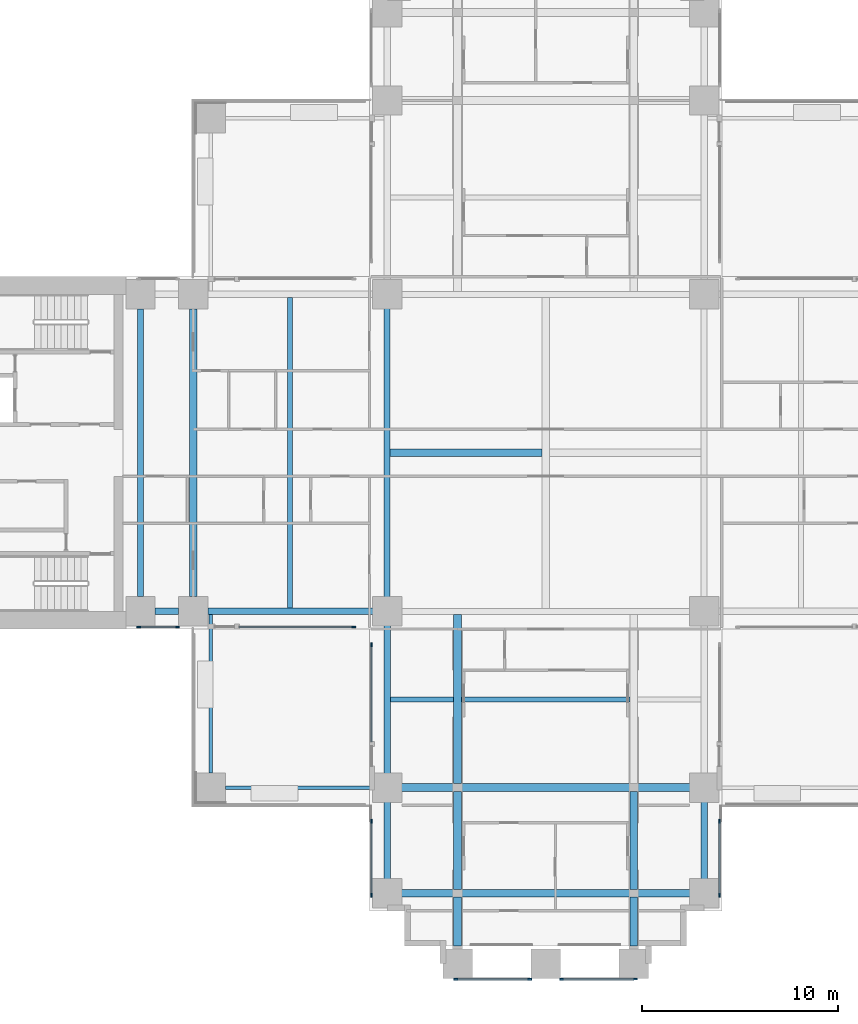
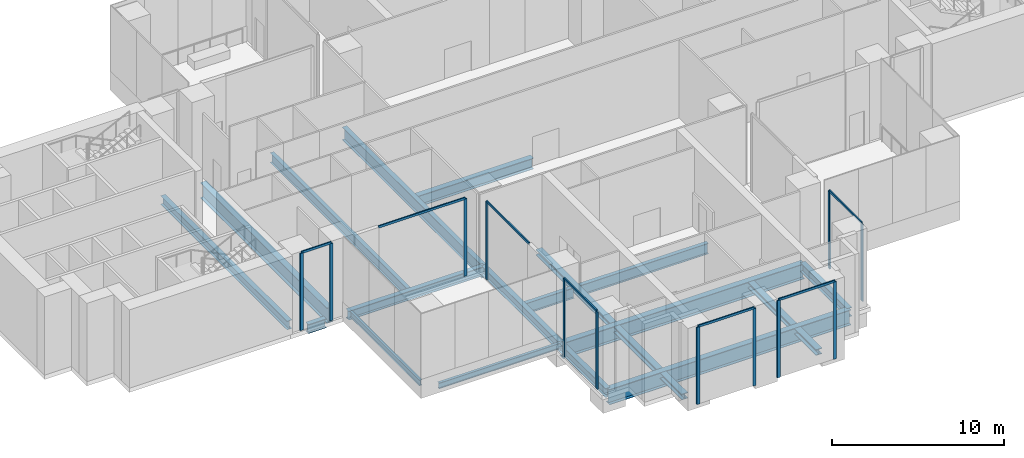
# One storey, part 2 of 17: 21 beams, 19 members, 7 elements without a shape of their own.
"""IFC4 building model written with IfcOpenShell, lengths in metres."""

from ifc_helpers import new_model, si_unit, direction, frame, origin, origin_2d, place, context, subcontext, project, spatial, rectangle, i_section, extrude, material, material_profile, profile_set, type_object, element, aggregate, save


model = new_model("IFC4")

# Units and contexts
model_context = context("Model", 3, precision=1e-05, world=origin(), true_north=direction((0.0, 1.0)))
body_context = subcontext(model_context, "Body", "Model", "MODEL_VIEW")
ifc_project = project(units=[si_unit("LENGTHUNIT", "METRE"), si_unit("AREAUNIT", "SQUARE_METRE"), si_unit("VOLUMEUNIT", "CUBIC_METRE"), si_unit("PLANEANGLEUNIT", "RADIAN"), si_unit("MASSUNIT", "GRAM", prefix="KILO")], contexts=[model_context])

# Site, building, storey
site_placement = place(None, origin())
site = spatial("IfcSite", under=ifc_project, at=site_placement, CompositionType="ELEMENT")
building_placement = place(site_placement, origin())
building = spatial("IfcBuilding", under=site, at=building_placement, Name="Perihelion Cross Residences", CompositionType="ELEMENT")
storey_placement = place(building_placement, frame((0.0, 0.0, 21.0)))
storey = spatial("IfcBuildingStorey", under=building, at=storey_placement, Name="L02", CompositionType="ELEMENT", Elevation=21.0)

# Curtain wall, members
ifc_material_1 = material(Name="Bronze anodised aluminium, tinted glazing", Category="aluminium")
curtain_wall_type = type_object("IfcCurtainWallType", Name="CW2", PredefinedType="NOTDEFINED", material=ifc_material_1)
curtain_wall_1_placement = place(storey_placement, origin())
curtain_wall_1 = element("IfcCurtainWall", 1, at=curtain_wall_1_placement, inside=storey, type_object=curtain_wall_type, Name="Curtain wall CW2 L02 west side south bay 1", PredefinedType="NOTDEFINED")
ifc_material_2 = material(Name="Bronze anodised aluminium", Category="aluminium")
ifc_material_profile_1 = material_profile(ifc_material_2, rectangle(XDim=0.080078125, YDim=0.199951171875, at=origin_2d()), Name="CW2 mullion")
ifc_profile_set_1 = profile_set([ifc_material_profile_1], Name="Bronze anodised aluminium")
member_type_1 = type_object("IfcMemberType", Name="CW2 mullion", PredefinedType="MULLION", material=ifc_profile_set_1)
member_1_placement = place(storey_placement, frame((-20.7900390625, -8.889892578125, 0.0), z_axis=(0.0, 0.0, 1.0), x_axis=(0.0, 1.0, 0.0)))
member_1 = element("IfcMember", 2, at=member_1_placement, type_object=member_type_1, Name="CW2 mullion 1", PredefinedType="MULLION", context=body_context, shape_type="SweptSolid", body=[
    extrude(rectangle(XDim=0.080078125, YDim=0.199951171875, at=origin_2d()), origin(), (0.0, 0.0, 1.0), 5.469970703125),
])
member_2_placement = place(storey_placement, frame((-18.81005859375, -8.889892578125, 0.0), z_axis=(0.0, 0.0, 1.0), x_axis=(0.0, 1.0, 0.0)))
member_2 = element("IfcMember", 3, at=member_2_placement, type_object=member_type_1, Name="CW2 mullion 2", PredefinedType="MULLION", context=body_context, shape_type="SweptSolid", body=[
    extrude(rectangle(XDim=0.080078125, YDim=0.199951171875, at=origin_2d()), origin(), (0.0, 0.0, 1.0), 5.469970703125),
])

# Curtain wall, member
curtain_wall_2_placement = place(storey_placement, origin())
curtain_wall_2 = element("IfcCurtainWall", 4, at=curtain_wall_2_placement, inside=storey, type_object=curtain_wall_type, Name="Curtain wall CW2 L02 west side south bay 2", PredefinedType="NOTDEFINED")
member_3_placement = place(storey_placement, frame((-9.81005859375, -8.889892578125, 0.0), z_axis=(0.0, 0.0, 1.0), x_axis=(0.0, 1.0, 0.0)))
member_3 = element("IfcMember", 5, at=member_3_placement, type_object=member_type_1, Name="CW2 mullion 2", PredefinedType="MULLION", context=body_context, shape_type="SweptSolid", body=[
    extrude(rectangle(XDim=0.080078125, YDim=0.199951171875, at=origin_2d()), origin(), (0.0, 0.0, 1.0), 5.469970703125),
])

curtain_wall_3_placement = place(storey_placement, origin())
curtain_wall_3 = element("IfcCurtainWall", 6, at=curtain_wall_3_placement, inside=storey, type_object=curtain_wall_type, Name="Curtain wall CW2 L02 south side west bay 1", PredefinedType="NOTDEFINED")
member_4_placement = place(storey_placement, frame((-8.889892578125, -9.81005859375, 0.0), z_axis=(0.0, 0.0, 1.0), x_axis=(1.0, 0.0, 0.0)))
member_4 = element("IfcMember", 7, at=member_4_placement, type_object=member_type_1, Name="CW2 mullion 1", PredefinedType="MULLION", context=body_context, shape_type="SweptSolid", body=[
    extrude(rectangle(XDim=0.080078125, YDim=0.199951171875, at=origin_2d()), origin(), (0.0, 0.0, 1.0), 5.469970703125),
])

# Curtain wall, members
curtain_wall_4_placement = place(storey_placement, origin())
curtain_wall_4 = element("IfcCurtainWall", 8, at=curtain_wall_4_placement, inside=storey, type_object=curtain_wall_type, Name="Curtain wall CW2 L02 south side west bay 2", PredefinedType="NOTDEFINED")
member_5_placement = place(storey_placement, frame((-8.889892578125, -18.81005859375, 0.0), z_axis=(0.0, 0.0, 1.0), x_axis=(1.0, 0.0, 0.0)))
member_5 = element("IfcMember", 9, at=member_5_placement, type_object=member_type_1, Name="CW2 mullion 1", PredefinedType="MULLION", context=body_context, shape_type="SweptSolid", body=[
    extrude(rectangle(XDim=0.080078125, YDim=0.199951171875, at=origin_2d()), origin(), (0.0, 0.0, 1.0), 5.469970703125),
])
member_6_placement = place(storey_placement, frame((-8.889892578125, -22.590087890625, 0.0), z_axis=(0.0, 0.0, 1.0), x_axis=(1.0, 0.0, 0.0)))
member_6 = element("IfcMember", 10, at=member_6_placement, type_object=member_type_1, Name="CW2 mullion 2", PredefinedType="MULLION", context=body_context, shape_type="SweptSolid", body=[
    extrude(rectangle(XDim=0.080078125, YDim=0.199951171875, at=origin_2d()), origin(), (0.0, 0.0, 1.0), 5.469970703125),
])

curtain_wall_5_placement = place(storey_placement, origin())
curtain_wall_5 = element("IfcCurtainWall", 11, at=curtain_wall_5_placement, inside=storey, type_object=curtain_wall_type, Name="Curtain wall CW2 L02 south tip south bay 1", PredefinedType="NOTDEFINED")
member_7_placement = place(storey_placement, frame((-4.590087890625, -26.889892578125, 0.0), z_axis=(0.0, 0.0, 1.0), x_axis=(0.0, 1.0, 0.0)))
member_7 = element("IfcMember", 12, at=member_7_placement, type_object=member_type_1, Name="CW2 mullion 1", PredefinedType="MULLION", context=body_context, shape_type="SweptSolid", body=[
    extrude(rectangle(XDim=0.080078125, YDim=0.199951171875, at=origin_2d()), origin(), (0.0, 0.0, 1.0), 5.469970703125),
])
member_8_placement = place(storey_placement, frame((-0.81005859375, -26.889892578125, 0.0), z_axis=(0.0, 0.0, 1.0), x_axis=(0.0, 1.0, 0.0)))
member_8 = element("IfcMember", 13, at=member_8_placement, type_object=member_type_1, Name="CW2 mullion 2", PredefinedType="MULLION", context=body_context, shape_type="SweptSolid", body=[
    extrude(rectangle(XDim=0.080078125, YDim=0.199951171875, at=origin_2d()), origin(), (0.0, 0.0, 1.0), 5.469970703125),
])

curtain_wall_6_placement = place(storey_placement, origin())
curtain_wall_6 = element("IfcCurtainWall", 14, at=curtain_wall_6_placement, inside=storey, type_object=curtain_wall_type, Name="Curtain wall CW2 L02 south tip south bay 2", PredefinedType="NOTDEFINED")
member_9_placement = place(storey_placement, frame((0.81005859375, -26.889892578125, 0.0), z_axis=(0.0, 0.0, 1.0), x_axis=(0.0, 1.0, 0.0)))
member_9 = element("IfcMember", 15, at=member_9_placement, type_object=member_type_1, Name="CW2 mullion 1", PredefinedType="MULLION", context=body_context, shape_type="SweptSolid", body=[
    extrude(rectangle(XDim=0.080078125, YDim=0.199951171875, at=origin_2d()), origin(), (0.0, 0.0, 1.0), 5.469970703125),
])
member_10_placement = place(storey_placement, frame((4.590087890625, -26.889892578125, 0.0), z_axis=(0.0, 0.0, 1.0), x_axis=(0.0, 1.0, 0.0)))
member_10 = element("IfcMember", 16, at=member_10_placement, type_object=member_type_1, Name="CW2 mullion 2", PredefinedType="MULLION", context=body_context, shape_type="SweptSolid", body=[
    extrude(rectangle(XDim=0.080078125, YDim=0.199951171875, at=origin_2d()), origin(), (0.0, 0.0, 1.0), 5.469970703125),
])

curtain_wall_7_placement = place(storey_placement, origin())
curtain_wall_7 = element("IfcCurtainWall", 17, at=curtain_wall_7_placement, inside=storey, type_object=curtain_wall_type, Name="Curtain wall CW2 L02 south side east bay 1", PredefinedType="NOTDEFINED")
member_11_placement = place(storey_placement, frame((8.889892578125, -22.590087890625, 0.0), z_axis=(0.0, 0.0, 1.0), x_axis=(-1.0, 0.0, 0.0)))
member_11 = element("IfcMember", 18, at=member_11_placement, type_object=member_type_1, Name="CW2 mullion 1", PredefinedType="MULLION", context=body_context, shape_type="SweptSolid", body=[
    extrude(rectangle(XDim=0.080078125, YDim=0.199951171875, at=origin_2d()), origin(), (0.0, 0.0, 1.0), 5.469970703125),
])
member_12_placement = place(storey_placement, frame((8.889892578125, -18.81005859375, 0.0), z_axis=(0.0, 0.0, 1.0), x_axis=(-1.0, 0.0, 0.0)))
member_12 = element("IfcMember", 19, at=member_12_placement, type_object=member_type_1, Name="CW2 mullion 2", PredefinedType="MULLION", context=body_context, shape_type="SweptSolid", body=[
    extrude(rectangle(XDim=0.080078125, YDim=0.199951171875, at=origin_2d()), origin(), (0.0, 0.0, 1.0), 5.469970703125),
])

# Member
ifc_material_3 = material(Name="Bronze anodised aluminium", Category="aluminium")
ifc_material_profile_2 = material_profile(ifc_material_3, rectangle(XDim=0.080078125, YDim=0.159912109375, at=origin_2d()), Name="CW2 transom")
ifc_profile_set_2 = profile_set([ifc_material_profile_2], Name="Bronze anodised aluminium")
member_type_2 = type_object("IfcMemberType", Name="CW2 transom", PredefinedType="USERDEFINED", material=ifc_profile_set_2)
member_13_placement = place(storey_placement, frame((-20.7900390625, -8.889892578125, 5.510009765625), z_axis=(1.0, 0.0, 0.0), x_axis=(0.0, 1.0, 0.0)))
member_13 = element("IfcMember", 20, at=member_13_placement, type_object=member_type_2, Name="CW2 head transom", ObjectType="TRANSOM", PredefinedType="USERDEFINED", context=body_context, shape_type="SweptSolid", body=[
    extrude(rectangle(XDim=0.080078125, YDim=0.159912109375, at=origin_2d()), origin(), (0.0, 0.0, 1.0), 1.97998046875),
])

aggregate(curtain_wall_1, [member_1, member_2, member_13])

member_14_placement = place(storey_placement, frame((-15.64990234375, -8.889892578125, 5.510009765625), z_axis=(1.0, 0.0, 0.0), x_axis=(0.0, 1.0, 0.0)))
member_14 = element("IfcMember", 21, at=member_14_placement, type_object=member_type_2, Name="CW2 head transom", ObjectType="TRANSOM", PredefinedType="USERDEFINED", context=body_context, shape_type="SweptSolid", body=[
    extrude(rectangle(XDim=0.080078125, YDim=0.159912109375, at=origin_2d()), origin(), (0.0, 0.0, 1.0), 5.83984375),
])

aggregate(curtain_wall_2, [member_3, member_14])

member_15_placement = place(storey_placement, frame((-8.889892578125, -9.81005859375, 5.510009765625), z_axis=(0.0, -1.0, 0.0), x_axis=(1.0, 0.0, 0.0)))
member_15 = element("IfcMember", 22, at=member_15_placement, type_object=member_type_2, Name="CW2 head transom", ObjectType="TRANSOM", PredefinedType="USERDEFINED", context=body_context, shape_type="SweptSolid", body=[
    extrude(rectangle(XDim=0.080078125, YDim=0.159912109375, at=origin_2d()), origin(), (0.0, 0.0, 1.0), 4.93994140625),
])

aggregate(curtain_wall_3, [member_4, member_15])

member_16_placement = place(storey_placement, frame((-8.889892578125, -18.81005859375, 5.510009765625), z_axis=(0.0, -1.0, 0.0), x_axis=(1.0, 0.0, 0.0)))
member_16 = element("IfcMember", 23, at=member_16_placement, type_object=member_type_2, Name="CW2 head transom", ObjectType="TRANSOM", PredefinedType="USERDEFINED", context=body_context, shape_type="SweptSolid", body=[
    extrude(rectangle(XDim=0.080078125, YDim=0.159912109375, at=origin_2d()), origin(), (0.0, 0.0, 1.0), 3.780029296875),
])

aggregate(curtain_wall_4, [member_5, member_6, member_16])

member_17_placement = place(storey_placement, frame((-4.590087890625, -26.889892578125, 5.510009765625), z_axis=(1.0, 0.0, 0.0), x_axis=(0.0, 1.0, 0.0)))
member_17 = element("IfcMember", 24, at=member_17_placement, type_object=member_type_2, Name="CW2 head transom", ObjectType="TRANSOM", PredefinedType="USERDEFINED", context=body_context, shape_type="SweptSolid", body=[
    extrude(rectangle(XDim=0.080078125, YDim=0.159912109375, at=origin_2d()), origin(), (0.0, 0.0, 1.0), 3.780029296875),
])

aggregate(curtain_wall_5, [member_7, member_8, member_17])

member_18_placement = place(storey_placement, frame((0.81005859375, -26.889892578125, 5.510009765625), z_axis=(1.0, 0.0, 0.0), x_axis=(0.0, 1.0, 0.0)))
member_18 = element("IfcMember", 25, at=member_18_placement, type_object=member_type_2, Name="CW2 head transom", ObjectType="TRANSOM", PredefinedType="USERDEFINED", context=body_context, shape_type="SweptSolid", body=[
    extrude(rectangle(XDim=0.080078125, YDim=0.159912109375, at=origin_2d()), origin(), (0.0, 0.0, 1.0), 3.780029296875),
])

aggregate(curtain_wall_6, [member_9, member_10, member_18])

member_19_placement = place(storey_placement, frame((8.889892578125, -22.590087890625, 5.510009765625), z_axis=(0.0, 1.0, 0.0), x_axis=(-1.0, 0.0, 0.0)))
member_19 = element("IfcMember", 26, at=member_19_placement, type_object=member_type_2, Name="CW2 head transom", ObjectType="TRANSOM", PredefinedType="USERDEFINED", context=body_context, shape_type="SweptSolid", body=[
    extrude(rectangle(XDim=0.080078125, YDim=0.159912109375, at=origin_2d()), origin(), (0.0, 0.0, 1.0), 3.780029296875),
])

aggregate(curtain_wall_7, [member_11, member_12, member_19])

# Beams
ifc_material_4 = material(Name="Steel S355", Category="steel")
ifc_material_profile_3 = material_profile(ifc_material_4, i_section(OverallWidth=0.406005859375, OverallDepth=0.4169921875, WebThickness=0.030029296875, FlangeThickness=0.048095703125, at=origin_2d()), Name="W360x382")
ifc_profile_set_3 = profile_set([ifc_material_profile_3], Name="Steel S355")
beam_type_1 = type_object("IfcBeamType", Name="Core edge beam W360x382", PredefinedType="BEAM", material=ifc_profile_set_3)
beam_1_placement = place(storey_placement, frame((4.5, -17.300537109375, -0.508544921875), z_axis=(0.0, -1.0, 0.0), x_axis=(1.0, 0.0, 0.0)))
element("IfcBeam", 27, at=beam_1_placement, inside=storey, type_object=beam_type_1, Name="Core edge beam TB3 L02 spine no. 8", PredefinedType="BEAM", context=body_context, shape_type="SweptSolid", body=[
    extrude(i_section(OverallWidth=0.406005859375, OverallDepth=0.4169921875, WebThickness=0.030029296875, FlangeThickness=0.048095703125, at=origin_2d()), origin(), (0.0, 0.0, 1.0), 4.9990234375),
])
beam_2_placement = place(storey_placement, frame((4.5, -22.700439453125, -0.508544921875), z_axis=(0.0, -1.0, 0.0), x_axis=(1.0, 0.0, 0.0)))
element("IfcBeam", 28, at=beam_2_placement, inside=storey, type_object=beam_type_1, Name="Core edge beam TB3 L02 spine no. 9", PredefinedType="BEAM", context=body_context, shape_type="SweptSolid", body=[
    extrude(i_section(OverallWidth=0.406005859375, OverallDepth=0.4169921875, WebThickness=0.030029296875, FlangeThickness=0.048095703125, at=origin_2d()), origin(), (0.0, 0.0, 1.0), 2.49951171875),
])
beam_3_placement = place(storey_placement, frame((-4.5, -8.25244140625, -0.508544921875), z_axis=(0.0, -1.0, 0.0), x_axis=(1.0, 0.0, 0.0)))
element("IfcBeam", 29, at=beam_3_placement, inside=storey, type_object=beam_type_1, Name="Core edge beam TB3 L02 spine no. 1", PredefinedType="BEAM", context=body_context, shape_type="SweptSolid", body=[
    extrude(i_section(OverallWidth=0.406005859375, OverallDepth=0.4169921875, WebThickness=0.030029296875, FlangeThickness=0.048095703125, at=origin_2d()), origin(), (0.0, 0.0, 1.0), 8.64697265625),
])
beam_4_placement = place(storey_placement, frame((-4.5, -17.300537109375, -0.508544921875), z_axis=(0.0, -1.0, 0.0), x_axis=(1.0, 0.0, 0.0)))
element("IfcBeam", 30, at=beam_4_placement, inside=storey, type_object=beam_type_1, Name="Core edge beam TB3 L02 spine no. 2", PredefinedType="BEAM", context=body_context, shape_type="SweptSolid", body=[
    extrude(i_section(OverallWidth=0.406005859375, OverallDepth=0.4169921875, WebThickness=0.030029296875, FlangeThickness=0.048095703125, at=origin_2d()), origin(), (0.0, 0.0, 1.0), 4.9990234375),
])
beam_5_placement = place(storey_placement, frame((-4.5, -22.700439453125, -0.508544921875), z_axis=(0.0, -1.0, 0.0), x_axis=(1.0, 0.0, 0.0)))
element("IfcBeam", 31, at=beam_5_placement, inside=storey, type_object=beam_type_1, Name="Core edge beam TB3 L02 spine no. 3", PredefinedType="BEAM", context=body_context, shape_type="SweptSolid", body=[
    extrude(i_section(OverallWidth=0.406005859375, OverallDepth=0.4169921875, WebThickness=0.030029296875, FlangeThickness=0.048095703125, at=origin_2d()), origin(), (0.0, 0.0, 1.0), 2.49951171875),
])
ifc_material_5 = material(Name="Steel S355", Category="steel")
ifc_material_profile_4 = material_profile(ifc_material_5, i_section(OverallWidth=0.177978515625, OverallDepth=0.406005859375, WebThickness=0.0078125, FlangeThickness=0.0126953125, at=origin_2d()), Name="W410x60")
ifc_profile_set_4 = profile_set([ifc_material_profile_4], Name="Steel S355")
beam_type_2 = type_object("IfcBeamType", Name="Core edge beam W410x60", PredefinedType="BEAM", material=ifc_profile_set_4)
beam_6_placement = place(storey_placement, frame((-17.10009765625, -8.264892578125, -0.5029296875), z_axis=(0.0, -1.0, 0.0), x_axis=(1.0, 0.0, 0.0)))
element("IfcBeam", 32, at=beam_6_placement, inside=storey, type_object=beam_type_2, Name="Core edge beam TB2 L02 corner no. 1", PredefinedType="BEAM", context=body_context, shape_type="SweptSolid", body=[
    extrude(i_section(OverallWidth=0.177978515625, OverallDepth=0.406005859375, WebThickness=0.0078125, FlangeThickness=0.0126953125, at=origin_2d()), origin(), (0.0, 0.0, 1.0), 8.085205078125),
])
beam_7_placement = place(storey_placement, frame((-8.10009765625, -17.10009765625, -0.5029296875), z_axis=(-1.0, 0.0, 0.0), x_axis=(0.0, -1.0, 0.0)))
element("IfcBeam", 33, at=beam_7_placement, inside=storey, type_object=beam_type_2, Name="Core edge beam TB2 L02 corner no. 2", PredefinedType="BEAM", context=body_context, shape_type="SweptSolid", body=[
    extrude(i_section(OverallWidth=0.177978515625, OverallDepth=0.406005859375, WebThickness=0.0078125, FlangeThickness=0.0126953125, at=origin_2d()), origin(), (0.0, 0.0, 1.0), 8.25),
])
ifc_material_6 = material(Name="Steel S355", Category="steel")
ifc_material_profile_5 = material_profile(ifc_material_6, i_section(OverallWidth=0.324951171875, OverallDepth=0.616943359375, WebThickness=0.013916015625, FlangeThickness=0.021484375, at=origin_2d()), Name="W610x174")
ifc_profile_set_5 = profile_set([ifc_material_profile_5], Name="Steel S355")
beam_type_3 = type_object("IfcBeamType", Name="Core edge beam W610x174", PredefinedType="BEAM", material=ifc_profile_set_5)
beam_8_placement = place(storey_placement, frame((-20.699951171875, -7.35009765625, -0.6083984375), z_axis=(0.0, 1.0, 0.0), x_axis=(-1.0, 0.0, 0.0)))
element("IfcBeam", 34, at=beam_8_placement, inside=storey, type_object=beam_type_3, Name="Core edge beam TB1 L02 no. 1", PredefinedType="BEAM", context=body_context, shape_type="SweptSolid", body=[
    extrude(i_section(OverallWidth=0.324951171875, OverallDepth=0.616943359375, WebThickness=0.013916015625, FlangeThickness=0.021484375, at=origin_2d()), origin(), (0.0, 0.0, 1.0), 14.7001953125),
])
ifc_material_7 = material(Name="Steel S355", Category="steel")
ifc_material_profile_6 = material_profile(ifc_material_7, i_section(OverallWidth=0.330078125, OverallDepth=0.635009765625, WebThickness=0.017822265625, FlangeThickness=0.031005859375, at=origin_2d()), Name="W610x241")
ifc_profile_set_6 = profile_set([ifc_material_profile_6], Name="Steel S355")
beam_type_4 = type_object("IfcBeamType", Name="Edge beam W610x241", PredefinedType="SPANDREL", material=ifc_profile_set_6)
beam_9_placement = place(storey_placement, frame((-19.949951171875, -8.10009765625, -0.617431640625), z_axis=(1.0, 0.0, 0.0), x_axis=(0.0, 1.0, 0.0)))
element("IfcBeam", 35, at=beam_9_placement, inside=storey, type_object=beam_type_4, Name="Edge beam SB1 L02 no. 3", PredefinedType="SPANDREL", context=body_context, shape_type="SweptSolid", body=[
    extrude(i_section(OverallWidth=0.330078125, OverallDepth=0.635009765625, WebThickness=0.017822265625, FlangeThickness=0.031005859375, at=origin_2d()), origin(), (0.0, 0.0, 1.0), 1.199951171875),
])
beam_10_placement = place(storey_placement, frame((-17.25, -8.10009765625, -0.617431640625), z_axis=(1.0, 0.0, 0.0), x_axis=(0.0, 1.0, 0.0)))
element("IfcBeam", 36, at=beam_10_placement, inside=storey, type_object=beam_type_4, Name="Edge beam SB1 L02 no. 1", PredefinedType="SPANDREL", context=body_context, shape_type="SweptSolid", body=[
    extrude(i_section(OverallWidth=0.330078125, OverallDepth=0.635009765625, WebThickness=0.017822265625, FlangeThickness=0.031005859375, at=origin_2d()), origin(), (0.0, 0.0, 1.0), 9.14990234375),
])
beam_11_placement = place(storey_placement, frame((-8.10009765625, -8.10009765625, -0.617431640625), z_axis=(0.0, -1.0, 0.0), x_axis=(1.0, 0.0, 0.0)))
element("IfcBeam", 37, at=beam_11_placement, inside=storey, type_object=beam_type_4, Name="Edge beam SB1 L02 no. 5", PredefinedType="SPANDREL", context=body_context, shape_type="SweptSolid", body=[
    extrude(i_section(OverallWidth=0.330078125, OverallDepth=0.635009765625, WebThickness=0.017822265625, FlangeThickness=0.031005859375, at=origin_2d()), origin(), (0.0, 0.0, 1.0), 9.0),
])
for number, where, z_axis, x_axis, name in (
    (38, (-8.10009765625, -17.10009765625, -0.617431640625), (0.0, -1.0, 0.0), (1.0, 0.0, 0.0), "Edge beam SB1 L02 no. 4"),
    (39, (8.10009765625, -22.5, -0.617431640625), (0.0, 1.0, 0.0), (-1.0, 0.0, 0.0), "Edge beam SB1 L02 no. 13"),
):
    element("IfcBeam", number, at=place(storey_placement, frame(where, z_axis=z_axis, x_axis=x_axis)), inside=storey, type_object=beam_type_4, Name=name, PredefinedType="SPANDREL", context=body_context, shape_type="SweptSolid", body=[
        extrude(i_section(OverallWidth=0.330078125, OverallDepth=0.635009765625, WebThickness=0.017822265625, FlangeThickness=0.031005859375, at=origin_2d()), origin(), (0.0, 0.0, 1.0), 5.39990234375),
    ])
ifc_material_8 = material(Name="Steel S355", Category="steel")
ifc_material_profile_7 = material_profile(ifc_material_8, i_section(OverallWidth=0.257080078125, OverallDepth=0.693115234375, WebThickness=0.014404296875, FlangeThickness=0.023681640625, at=origin_2d()), Name="W690x170")
ifc_profile_set_7 = profile_set([ifc_material_profile_7], Name="Steel S355")
beam_type_5 = type_object("IfcBeamType", Name="Floor joist W690x170", PredefinedType="JOIST", material=ifc_profile_set_7)
beam_12_placement = place(storey_placement, frame((-13.050048828125, -7.93505859375, -0.646484375), z_axis=(0.0, 1.0, 0.0), x_axis=(-1.0, 0.0, 0.0)))
element("IfcBeam", 40, at=beam_12_placement, inside=storey, type_object=beam_type_5, Name="Joist J1 L02 no. 1", PredefinedType="JOIST", context=body_context, shape_type="SweptSolid", body=[
    extrude(i_section(OverallWidth=0.257080078125, OverallDepth=0.693115234375, WebThickness=0.014404296875, FlangeThickness=0.023681640625, at=origin_2d()), origin(), (0.0, 0.0, 1.0), 15.8701171875),
])
ifc_material_9 = material(Name="Steel S355", Category="steel")
ifc_material_profile_8 = material_profile(ifc_material_9, i_section(OverallWidth=0.26708984375, OverallDepth=0.75390625, WebThickness=0.01318359375, FlangeThickness=0.01708984375, at=origin_2d()), Name="W760x147")
ifc_profile_set_8 = profile_set([ifc_material_profile_8], Name="Steel S355")
beam_type_6 = type_object("IfcBeamType", Name="Floor joist W760x147", PredefinedType="JOIST", material=ifc_profile_set_8)
beam_13_placement = place(storey_placement, frame((-7.93505859375, -12.60009765625, -0.677001953125), z_axis=(1.0, 0.0, 0.0), x_axis=(0.0, 1.0, 0.0)))
element("IfcBeam", 41, at=beam_13_placement, inside=storey, type_object=beam_type_6, Name="Joist J2 L02 no. 1", PredefinedType="JOIST", context=body_context, shape_type="SweptSolid", body=[
    extrude(i_section(OverallWidth=0.26708984375, OverallDepth=0.75390625, WebThickness=0.01318359375, FlangeThickness=0.01708984375, at=origin_2d()), origin(), (0.0, 0.0, 1.0), 3.232177734375),
])
beam_14_placement = place(storey_placement, frame((-4.297119140625, -12.60009765625, -0.677001953125), z_axis=(1.0, 0.0, 0.0), x_axis=(0.0, 1.0, 0.0)))
element("IfcBeam", 42, at=beam_14_placement, inside=storey, type_object=beam_type_6, Name="Joist J2 L02 no. 2", PredefinedType="JOIST", context=body_context, shape_type="SweptSolid", body=[
    extrude(i_section(OverallWidth=0.26708984375, OverallDepth=0.75390625, WebThickness=0.01318359375, FlangeThickness=0.01708984375, at=origin_2d()), origin(), (0.0, 0.0, 1.0), 8.59423828125),
])
ifc_material_10 = material(Name="Steel S355", Category="steel")
ifc_material_profile_9 = material_profile(ifc_material_10, i_section(OverallWidth=0.381103515625, OverallDepth=0.77197265625, WebThickness=0.0166015625, FlangeThickness=0.027099609375, at=origin_2d()), Name="W760x257")
ifc_profile_set_9 = profile_set([ifc_material_profile_9], Name="Steel S355")
beam_type_7 = type_object("IfcBeamType", Name="Hub cross beam W760x257", PredefinedType="BEAM", material=ifc_profile_set_9)
beam_15_placement = place(storey_placement, frame((-7.947509765625, 0.0, -0.68603515625), z_axis=(1.0, 0.0, 0.0), x_axis=(0.0, 1.0, 0.0)))
element("IfcBeam", 43, at=beam_15_placement, inside=storey, type_object=beam_type_7, Name="Hub cross beam XB1 L02 1 no. 1", PredefinedType="BEAM", context=body_context, shape_type="SweptSolid", body=[
    extrude(i_section(OverallWidth=0.381103515625, OverallDepth=0.77197265625, WebThickness=0.0166015625, FlangeThickness=0.027099609375, at=origin_2d()), origin(), (0.0, 0.0, 1.0), 7.757080078125),
])
ifc_material_11 = material(Name="Steel S355", Category="steel")
ifc_material_profile_10 = material_profile(ifc_material_11, i_section(OverallWidth=0.304931640625, OverallDepth=0.904052734375, WebThickness=0.01513671875, FlangeThickness=0.02001953125, at=origin_2d()), Name="W920x201")
ifc_profile_set_10 = profile_set([ifc_material_profile_10], Name="Steel S355")
beam_type_8 = type_object("IfcBeamType", Name="Hub ring girder W920x201", PredefinedType="BEAM", material=ifc_profile_set_10)
beam_16_placement = place(storey_placement, frame((-8.10009765625, 8.10009765625, -0.751953125), z_axis=(0.0, -1.0, 0.0), x_axis=(1.0, 0.0, 0.0)))
element("IfcBeam", 44, at=beam_16_placement, inside=storey, type_object=beam_type_8, Name="Hub ring girder RG1 L02 no. 2", PredefinedType="BEAM", context=body_context, shape_type="SweptSolid", body=[
    extrude(i_section(OverallWidth=0.304931640625, OverallDepth=0.904052734375, WebThickness=0.01513671875, FlangeThickness=0.02001953125, at=origin_2d()), origin(), (0.0, 0.0, 1.0), 16.2001953125),
])
ifc_material_12 = material(Name="Steel S355", Category="steel")
ifc_material_profile_11 = material_profile(ifc_material_12, i_section(OverallWidth=0.40087890625, OverallDepth=1.090087890625, WebThickness=0.01806640625, FlangeThickness=0.031005859375, at=origin_2d()), Name="W1100x343")
ifc_profile_set_11 = profile_set([ifc_material_profile_11], Name="Steel S355")
beam_type_9 = type_object("IfcBeamType", Name="Transfer girder W1100x343", PredefinedType="BEAM", material=ifc_profile_set_11)
for number, where, z_axis, x_axis, name in (
    (45, (-8.10009765625, -17.10009765625, -0.844970703125), (1.0, 0.0, 0.0), (0.0, 1.0, 0.0), "Girder TG1 L02 no. 3"),
    (46, (-8.10009765625, -22.5, -0.844970703125), (1.0, 0.0, 0.0), (0.0, 1.0, 0.0), "Girder TG1 L02 no. 4"),
):
    element("IfcBeam", number, at=place(storey_placement, frame(where, z_axis=z_axis, x_axis=x_axis)), inside=storey, type_object=beam_type_9, Name=name, PredefinedType="BEAM", context=body_context, shape_type="SweptSolid", body=[
        extrude(i_section(OverallWidth=0.40087890625, OverallDepth=1.090087890625, WebThickness=0.01806640625, FlangeThickness=0.031005859375, at=origin_2d()), origin(), (0.0, 0.0, 1.0), 16.2001953125),
    ])
beam_17_placement = place(storey_placement, frame((-18.0, -7.35009765625, -0.844970703125), z_axis=(0.0, 1.0, 0.0), x_axis=(-1.0, 0.0, 0.0)))
element("IfcBeam", 47, at=beam_17_placement, inside=storey, type_object=beam_type_9, Name="Girder TG1 L02 no. 1", PredefinedType="BEAM", context=body_context, shape_type="SweptSolid", body=[
    extrude(i_section(OverallWidth=0.40087890625, OverallDepth=1.090087890625, WebThickness=0.01806640625, FlangeThickness=0.031005859375, at=origin_2d()), origin(), (0.0, 0.0, 1.0), 14.7001953125),
])

save(model, "model.ifc")
